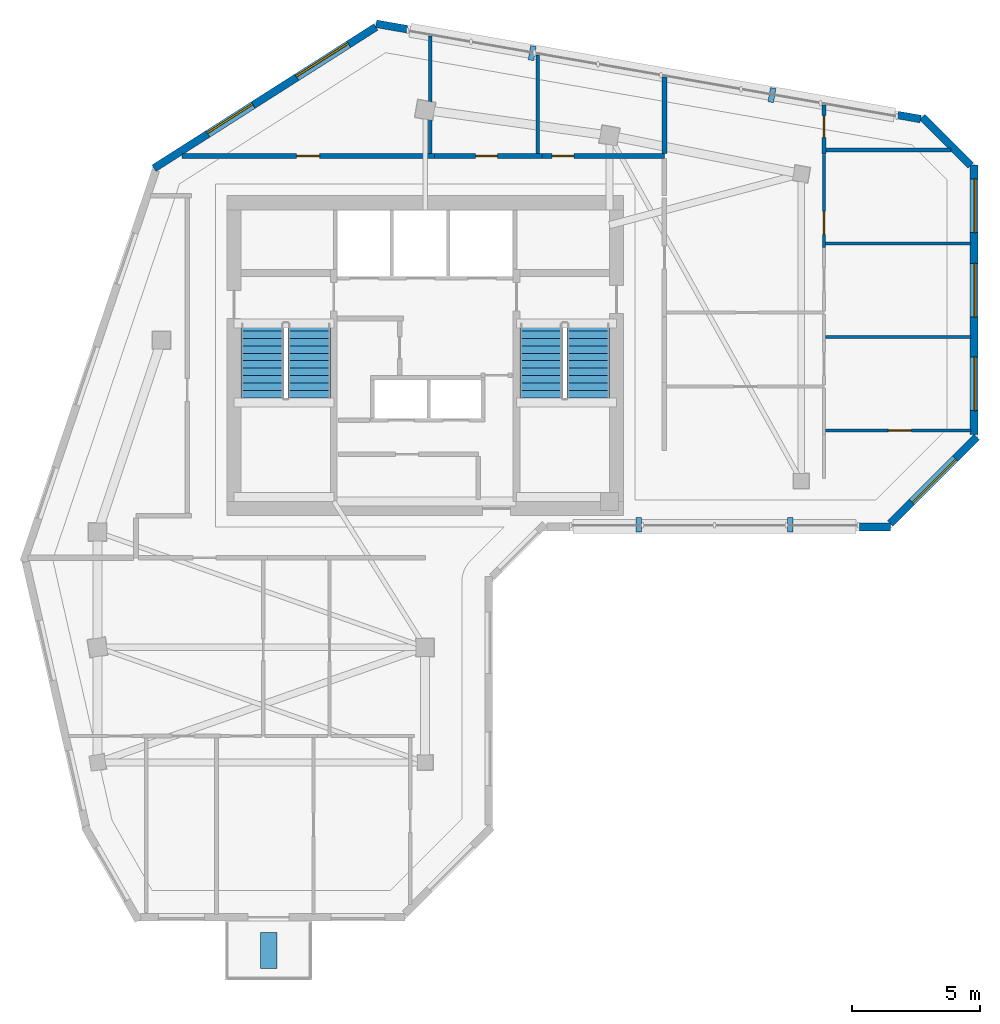
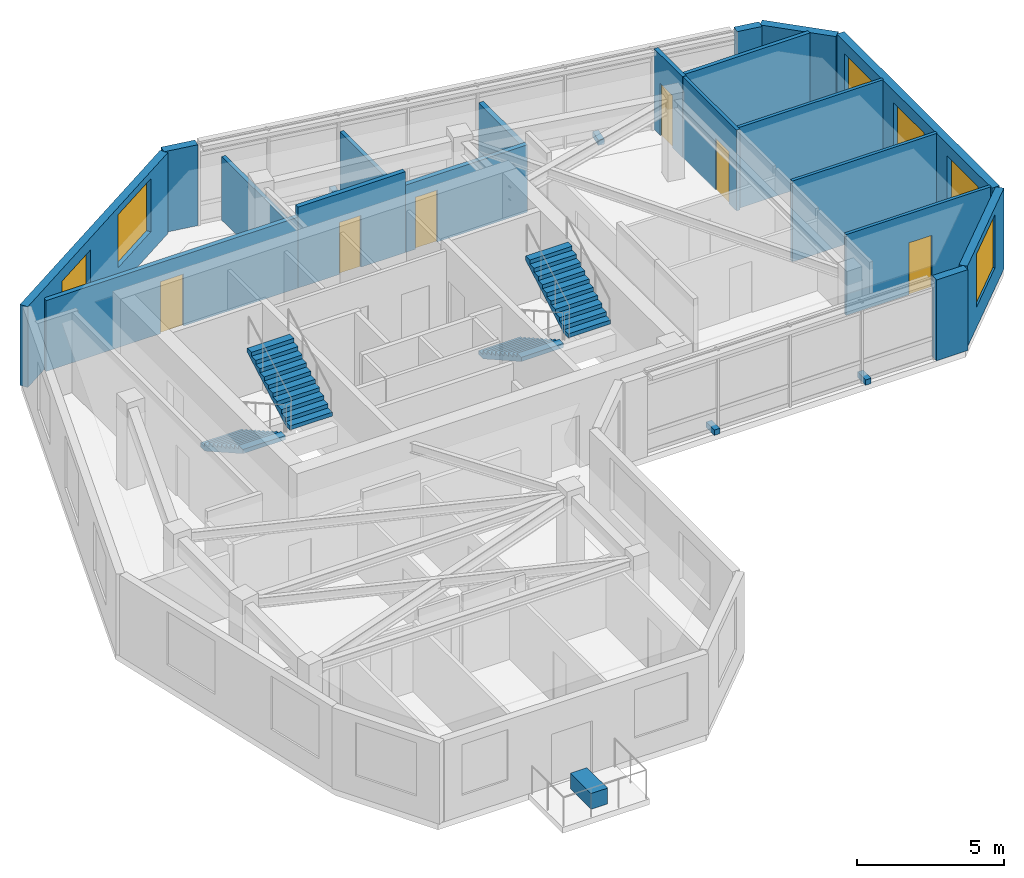
# One storey, part 5 of 8: 19 walls, 6 doors, 6 windows, 5 discrete accessories, 4 stair flights, 12 openings, 2 elements without a shape of their own.
"""IFC4 building model written with IfcOpenShell, lengths in metres."""

from ifc_helpers import new_model, si_unit, direction, frame, frame_2d, origin, origin_2d, place, context, subcontext, project, spatial, polyline, rectangle, outline, extrude, source, transform, mapped, material, layer, layer_set, type_object, element, fill, aggregate, save


model = new_model("IFC4")

# Units and contexts
model_context = context("Model", 3, precision=1e-05, world=origin(), true_north=direction((0.0, 1.0)))
body_context = subcontext(model_context, "Body", "Model", "MODEL_VIEW")
ifc_project = project(units=[si_unit("LENGTHUNIT", "METRE"), si_unit("AREAUNIT", "SQUARE_METRE"), si_unit("VOLUMEUNIT", "CUBIC_METRE"), si_unit("PLANEANGLEUNIT", "RADIAN"), si_unit("MASSUNIT", "GRAM", prefix="KILO")], contexts=[model_context])

# Site, building, storey
site_placement = place(None, origin())
site = spatial("IfcSite", under=ifc_project, at=site_placement, CompositionType="ELEMENT")
building_placement = place(site_placement, origin())
building = spatial("IfcBuilding", under=site, at=building_placement, Name="Calvemar Wedge Station Tower", CompositionType="ELEMENT")
storey_placement = place(building_placement, frame((0.0, 0.0, 249.300048828125)))
storey = spatial("IfcBuildingStorey", under=building, at=storey_placement, Name="L63", CompositionType="ELEMENT", Elevation=249.300048828125)

# Wall, opening, door
ifc_material_1 = material(Name="Double-stud fire-rated corridor partition")
ifc_layer_1 = layer(ifc_material_1, 0.179931640625)
ifc_layer_set_1 = layer_set([ifc_layer_1], Name="Double-stud fire-rated corridor partition")
wall_type_1 = type_object("IfcWallType", Name="W-CORR-180", PredefinedType="PARTITIONING", material=ifc_layer_set_1)
wall_1_placement = place(storey_placement, frame((14.29541015625, 47.699951171875, 0.0), z_axis=(0.0, 0.0, 1.0), x_axis=(1.0, 0.0, 0.0)))
wall_1 = element("IfcWall", 1, at=wall_1_placement, inside=storey, type_object=wall_type_1, Name="Storey L63 Interior Partition WL-L63-014", PredefinedType="PARTITIONING", context=body_context, shape_type="SweptSolid", body=[
    extrude(rectangle(XDim=9.864501953125, YDim=0.179931640625, at=frame_2d((4.93212890625, 0.0))), origin(), (0.0, 0.0, 1.0), 2.93505859375),
])
shared_shape_1 = source(origin(), body_context, "Body", "SweptSolid", [
    extrude(rectangle(XDim=0.89990234375, YDim=2.14990234375, at=frame_2d((0.449951171875, 1.074951171875))), frame((0.0, 0.10009765625, 0.0), z_axis=(0.0, -1.0, 0.0), x_axis=(1.0, 0.0, 0.0)), (0.0, 0.0, 1.0), 0.199951171875),
])
opening_1_placement = place(wall_1_placement, frame((4.482421875, 0.0, 0.0)))
opening_1 = element("IfcOpeningElement", 2, at=opening_1_placement, cuts=wall_1, Name="Opening D-01", PredefinedType="OPENING", context=body_context, shape_type="MappedRepresentation", body=[
    mapped(shared_shape_1, transform((0.0, 0.0, 0.0), scale=1.0)),
])
ifc_material_2 = material(Name="Architectural hardwood acoustic swing door", Category="wood")
door_type_1 = type_object("IfcDoorType", Name="DR-INT-900", OperationType="NOTDEFINED", PredefinedType="DOOR", material=ifc_material_2)
shared_shape_2 = source(origin(), body_context, "Body", "SweptSolid", [
    extrude(rectangle(XDim=0.89990234375, YDim=2.14990234375, at=frame_2d((0.449951171875, 1.074951171875))), frame((0.0, 0.02490234375, 0.0), z_axis=(0.0, -1.0, 0.0), x_axis=(1.0, 0.0, 0.0)), (0.0, 0.0, 1.0), 0.050048828125),
])
door_1_placement = place(opening_1_placement, origin())
door_1 = element("IfcDoor", 3, at=door_1_placement, inside=storey, type_object=door_type_1, Name="L63 Sky Reading Library Door", OperationType="SINGLE_SWING_LEFT", OverallHeight=2.14990234375, OverallWidth=0.89990234375, PredefinedType="DOOR", context=body_context, shape_type="MappedRepresentation", body=[
    mapped(shared_shape_2, transform((0.0, 0.0, 0.0), scale=1.0)),
])
fill(opening_1, door_1)

wall_2_placement = place(storey_placement, frame((24.162109375, 47.699951171875, 0.0), z_axis=(0.0, 0.0, 1.0), x_axis=(1.0, 0.0, 0.0)))
wall_2 = element("IfcWall", 4, at=wall_2_placement, inside=storey, type_object=wall_type_1, Name="Storey L63 Interior Partition WL-L63-015", PredefinedType="PARTITIONING", context=body_context, shape_type="SweptSolid", body=[
    extrude(rectangle(XDim=4.197998046875, YDim=0.179931640625, at=frame_2d((2.09912109375, 0.0))), origin(), (0.0, 0.0, 1.0), 3.349853515625),
])
shared_shape_3 = source(origin(), body_context, "Body", "SweptSolid", [
    extrude(rectangle(XDim=0.85009765625, YDim=2.14990234375, at=frame_2d((0.425048828125, 1.074951171875))), frame((0.0, 0.10009765625, 0.0), z_axis=(0.0, -1.0, 0.0), x_axis=(1.0, 0.0, 0.0)), (0.0, 0.0, 1.0), 0.199951171875),
])
opening_2_placement = place(wall_2_placement, frame((1.61328125, 0.0, 0.0)))
opening_2 = element("IfcOpeningElement", 5, at=opening_2_placement, cuts=wall_2, Name="Opening D-02", PredefinedType="OPENING", context=body_context, shape_type="MappedRepresentation", body=[
    mapped(shared_shape_3, transform((0.0, 0.0, 0.0), scale=1.0)),
])
ifc_material_3 = material(Name="Moisture-sealed bathroom hardwood swing door", Category="wood")
door_type_2 = type_object("IfcDoorType", Name="DR-WET-850", OperationType="NOTDEFINED", PredefinedType="DOOR", material=ifc_material_3)
shared_shape_4 = source(origin(), body_context, "Body", "SweptSolid", [
    extrude(rectangle(XDim=0.85009765625, YDim=2.14990234375, at=frame_2d((0.425048828125, 1.074951171875))), frame((0.0, 0.02490234375, 0.0), z_axis=(0.0, -1.0, 0.0), x_axis=(1.0, 0.0, 0.0)), (0.0, 0.0, 1.0), 0.050048828125),
])
door_2_placement = place(opening_2_placement, origin())
door_2 = element("IfcDoor", 6, at=door_2_placement, inside=storey, type_object=door_type_2, Name="L63 Accessible WC Door", OperationType="SINGLE_SWING_RIGHT", OverallHeight=2.14990234375, OverallWidth=0.85009765625, PredefinedType="DOOR", context=body_context, shape_type="MappedRepresentation", body=[
    mapped(shared_shape_4, transform((0.0, 0.0, 0.0), scale=1.0)),
])
fill(opening_2, door_2)

wall_3_placement = place(storey_placement, frame((28.362060546875, 47.699951171875, 0.0), z_axis=(0.0, 0.0, 1.0), x_axis=(1.0, 0.0, 0.0)))
wall_3 = element("IfcWall", 7, at=wall_3_placement, inside=storey, type_object=wall_type_1, Name="Storey L63 Interior Partition WL-L63-016", PredefinedType="PARTITIONING", context=body_context, shape_type="SweptSolid", body=[
    extrude(rectangle(XDim=4.787841796875, YDim=0.179931640625, at=frame_2d((2.39404296875, 0.0))), origin(), (0.0, 0.0, 1.0), 2.787841796875),
])
opening_3_placement = place(wall_3_placement, frame((0.400634765625, 0.0, 0.0)))
opening_3 = element("IfcOpeningElement", 8, at=opening_3_placement, cuts=wall_3, Name="Opening D-02", PredefinedType="OPENING", context=body_context, shape_type="MappedRepresentation", body=[
    mapped(shared_shape_3, transform((0.0, 0.0, 0.0), scale=1.0)),
])
door_3_placement = place(opening_3_placement, origin())
door_3 = element("IfcDoor", 9, at=door_3_placement, inside=storey, type_object=door_type_2, Name="L63 Storage Room Door", OperationType="SINGLE_SWING_LEFT", OverallHeight=2.14990234375, OverallWidth=0.85009765625, PredefinedType="DOOR", context=body_context, shape_type="MappedRepresentation", body=[
    mapped(shared_shape_4, transform((0.0, 0.0, 0.0), scale=1.0)),
])
fill(opening_3, door_3)

# Walls
ifc_material_4 = material(Name="Twin-stud fire-rated inter-tenancy wall")
ifc_layer_2 = layer(ifc_material_4, 0.199951171875)
ifc_layer_set_2 = layer_set([ifc_layer_2], Name="Twin-stud fire-rated inter-tenancy wall")
wall_type_2 = type_object("IfcWallType", Name="W-DEMISE-200", PredefinedType="PARTITIONING", material=ifc_layer_set_2)
wall_4_placement = place(storey_placement, frame((33.14990234375, 50.7802734375, 0.0), z_axis=(0.0, 0.0, 1.0), x_axis=(0.0, -1.0, 0.0)))
element("IfcWall", 10, at=wall_4_placement, inside=storey, type_object=wall_type_2, Name="Storey L63 Interior Partition WL-L63-024", PredefinedType="PARTITIONING", context=body_context, shape_type="SweptSolid", body=[
    extrude(rectangle(XDim=2.986328125, YDim=0.199951171875, at=frame_2d((1.4931640625, 0.0))), origin(), (0.0, 0.0, 1.0), 2.641845703125),
])
ifc_material_5 = material(Name="Precast concrete C45", Category="concrete")
ifc_layer_3 = layer(ifc_material_5, 0.300048828125)
ifc_layer_set_3 = layer_set([ifc_layer_3], Name="Precast concrete C45")
wall_type_3 = type_object("IfcWallType", Name="W-EXT-GFRC-300", PredefinedType="SOLIDWALL", material=ifc_layer_set_3)
wall_5_placement = place(storey_placement, frame((40.762939453125, 33.2060546875, 0.0), z_axis=(0.0, 0.0, 1.0), x_axis=(1.0, 0.0, 0.0)))
element("IfcWall", 11, at=wall_5_placement, inside=storey, type_object=wall_type_3, Name="Storey L63 Bronze GFRC Corner Pier 6B", PredefinedType="SOLIDWALL", context=body_context, shape_type="SweptSolid", body=[
    extrude(rectangle(XDim=1.224853515625, YDim=0.300048828125, at=frame_2d((0.6123046875, 0.0))), origin(), (0.0, 0.0, 1.0), 3.349853515625),
])

# Wall, opening, window
wall_6_placement = place(storey_placement, frame((41.975830078125, 33.343994140625, 0.0), z_axis=(0.0, 0.0, 1.0), x_axis=(0.707132316343, 0.707081245108, 0.0)))
wall_6 = element("IfcWall", 12, at=wall_6_placement, inside=storey, type_object=wall_type_3, Name="Storey L63 Bronze GFRC Exterior Wall 7", PredefinedType="SOLIDWALL", context=body_context, shape_type="SweptSolid", body=[
    extrude(rectangle(XDim=4.7802734375, YDim=0.300048828125, at=frame_2d((2.39013671875, 0.0))), origin(), (0.0, 0.0, 1.0), 3.349853515625),
])
shared_shape_5 = source(origin(), body_context, "Body", "SweptSolid", [
    extrude(rectangle(XDim=2.39990234375, YDim=2.199951171875, at=frame_2d((1.199951171875, 1.10009765625))), frame((0.0, 0.16015625, 0.0), z_axis=(0.0, -1.0, 0.0), x_axis=(1.0, 0.0, 0.0)), (0.0, 0.0, 1.0), 0.320068359375),
])
opening_4_placement = place(wall_6_placement, frame((1.18994140625, 0.0, 0.85009765625)))
opening_4 = element("IfcOpeningElement", 13, at=opening_4_placement, cuts=wall_6, Name="Opening W1", PredefinedType="OPENING", context=body_context, shape_type="MappedRepresentation", body=[
    mapped(shared_shape_5, transform((0.0, 0.0, 0.0), scale=1.0)),
])
ifc_material_6 = material(Name="Low-E laminated insulated glass", Category="glass")
window_type_1 = type_object("IfcWindowType", Name="WIN-EXT-1", PartitioningType="SINGLE_PANEL", PredefinedType="WINDOW", material=ifc_material_6)
shared_shape_6 = source(origin(), body_context, "Body", "SweptSolid", [
    extrude(rectangle(XDim=2.39990234375, YDim=2.199951171875, at=frame_2d((1.199951171875, 1.10009765625))), frame((0.0, -0.014892578125, 0.0), z_axis=(0.0, -1.0, 0.0), x_axis=(1.0, 0.0, 0.0)), (0.0, 0.0, 1.0), 0.06005859375),
])
window_1_placement = place(opening_4_placement, origin())
window_1 = element("IfcWindow", 14, at=window_1_placement, inside=storey, type_object=window_type_1, Name="Storey L63 Recessed Window 7.1", OverallHeight=2.199951171875, OverallWidth=2.39990234375, PartitioningType="SINGLE_PANEL", PredefinedType="WINDOW", context=body_context, shape_type="MappedRepresentation", body=[
    mapped(shared_shape_6, transform((0.0, 0.0, 0.0), scale=1.0)),
])
fill(opening_4, window_1)

# Wall, openings, windows
wall_7_placement = place(storey_placement, frame((45.25, 36.813232421875, 0.0), z_axis=(0.0, 0.0, 1.0), x_axis=(0.0, 1.0, 0.0)))
wall_7 = element("IfcWall", 15, at=wall_7_placement, inside=storey, type_object=wall_type_3, Name="Storey L63 Bronze GFRC Exterior Wall 8", PredefinedType="SOLIDWALL", context=body_context, shape_type="SweptSolid", body=[
    extrude(rectangle(XDim=10.53076171875, YDim=0.300048828125, at=frame_2d((5.265380859375, 0.0))), origin(), (0.0, 0.0, 1.0), 3.349853515625),
])
shared_shape_7 = source(origin(), body_context, "Body", "SweptSolid", [
    extrude(rectangle(XDim=2.10009765625, YDim=2.0, at=frame_2d((1.050048828125, 1.0))), frame((0.0, 0.16015625, 0.0), z_axis=(0.0, -1.0, 0.0), x_axis=(1.0, 0.0, 0.0)), (0.0, 0.0, 1.0), 0.320068359375),
])
opening_5_placement = place(wall_7_placement, frame((0.93603515625, 0.0, 0.85009765625)))
opening_5 = element("IfcOpeningElement", 16, at=opening_5_placement, cuts=wall_7, Name="Opening W4", PredefinedType="OPENING", context=body_context, shape_type="MappedRepresentation", body=[
    mapped(shared_shape_7, transform((0.0, 0.0, 0.0), scale=1.0)),
])
opening_6_placement = place(wall_7_placement, frame((4.589111328125, 0.0, 0.85009765625)))
opening_6 = element("IfcOpeningElement", 17, at=opening_6_placement, cuts=wall_7, Name="Opening W4", PredefinedType="OPENING", context=body_context, shape_type="MappedRepresentation", body=[
    mapped(shared_shape_7, transform((0.0, 0.0, 0.0), scale=1.0)),
])
opening_7_placement = place(wall_7_placement, frame((7.89794921875, 0.0, 0.85009765625)))
opening_7 = element("IfcOpeningElement", 18, at=opening_7_placement, cuts=wall_7, Name="Opening W4", PredefinedType="OPENING", context=body_context, shape_type="MappedRepresentation", body=[
    mapped(shared_shape_7, transform((0.0, 0.0, 0.0), scale=1.0)),
])
window_type_2 = type_object("IfcWindowType", Name="WIN-EXT-4", PartitioningType="SINGLE_PANEL", PredefinedType="WINDOW", material=ifc_material_6)
shared_shape_8 = source(origin(), body_context, "Body", "SweptSolid", [
    extrude(rectangle(XDim=2.10009765625, YDim=2.0, at=frame_2d((1.050048828125, 1.0))), frame((0.0, -0.014892578125, 0.0), z_axis=(0.0, -1.0, 0.0), x_axis=(1.0, 0.0, 0.0)), (0.0, 0.0, 1.0), 0.06005859375),
])
window_2_placement = place(opening_5_placement, origin())
window_2 = element("IfcWindow", 19, at=window_2_placement, inside=storey, type_object=window_type_2, Name="Storey L63 Recessed Window 8.1", OverallHeight=2.0, OverallWidth=2.10009765625, PartitioningType="SINGLE_PANEL", PredefinedType="WINDOW", context=body_context, shape_type="MappedRepresentation", body=[
    mapped(shared_shape_8, transform((0.0, 0.0, 0.0), scale=1.0)),
])
fill(opening_5, window_2)
window_3_placement = place(opening_6_placement, origin())
window_3 = element("IfcWindow", 20, at=window_3_placement, inside=storey, type_object=window_type_2, Name="Storey L63 Recessed Window 8.2", OverallHeight=2.0, OverallWidth=2.10009765625, PartitioningType="SINGLE_PANEL", PredefinedType="WINDOW", context=body_context, shape_type="MappedRepresentation", body=[
    mapped(shared_shape_8, transform((0.0, 0.0, 0.0), scale=1.0)),
])
fill(opening_6, window_3)
window_4_placement = place(opening_7_placement, origin())
window_4 = element("IfcWindow", 21, at=window_4_placement, inside=storey, type_object=window_type_2, Name="Storey L63 Recessed Window 8.3", OverallHeight=2.0, OverallWidth=2.10009765625, PartitioningType="SINGLE_PANEL", PredefinedType="WINDOW", context=body_context, shape_type="MappedRepresentation", body=[
    mapped(shared_shape_8, transform((0.0, 0.0, 0.0), scale=1.0)),
])
fill(opening_7, window_4)

# Walls
wall_8_placement = place(storey_placement, frame((45.112060546875, 47.331787109375, 0.0), z_axis=(0.0, 0.0, 1.0), x_axis=(-0.707106781187, 0.707106781187, 0.0)))
element("IfcWall", 22, at=wall_8_placement, inside=storey, type_object=wall_type_3, Name="Storey L63 Bronze GFRC Exterior Wall 9", PredefinedType="SOLIDWALL", context=body_context, shape_type="SweptSolid", body=[
    extrude(rectangle(XDim=2.673828125, YDim=0.300048828125, at=frame_2d((1.3369140625, 0.0))), origin(), (0.0, 0.0, 1.0), 3.349853515625),
])
wall_9_placement = place(storey_placement, frame((43.161376953125, 49.1455078125, 0.0), z_axis=(0.0, 0.0, 1.0), x_axis=(-0.985029323725, 0.172386865514, 0.0)))
element("IfcWall", 23, at=wall_9_placement, inside=storey, type_object=wall_type_3, Name="Storey L63 Bronze GFRC Corner Pier 10A", PredefinedType="SOLIDWALL", context=body_context, shape_type="SweptSolid", body=[
    extrude(rectangle(XDim=0.906494140625, YDim=0.300048828125, at=frame_2d((0.453125, 0.0))), origin(), (0.0, 0.0, 1.0), 3.349853515625),
])
wall_10_placement = place(storey_placement, frame((23.09033203125, 52.656982421875, 0.0), z_axis=(0.0, 0.0, 1.0), x_axis=(-0.985025390124, 0.172409340845, 0.0)))
element("IfcWall", 24, at=wall_10_placement, inside=storey, type_object=wall_type_3, Name="Storey L63 Bronze GFRC Corner Pier 10B", PredefinedType="SOLIDWALL", context=body_context, shape_type="SweptSolid", body=[
    extrude(rectangle(XDim=1.224853515625, YDim=0.300048828125, at=frame_2d((0.6123046875, 0.0))), origin(), (0.0, 0.0, 1.0), 3.349853515625),
])

# Wall, openings, windows
wall_11_placement = place(storey_placement, frame((21.873779296875, 52.741943359375, 0.0), z_axis=(0.0, 0.0, 1.0), x_axis=(-0.84365659959, -0.536883173482, 0.0)))
wall_11 = element("IfcWall", 25, at=wall_11_placement, inside=storey, type_object=wall_type_3, Name="Storey L63 Bronze GFRC Exterior Wall 11", PredefinedType="SOLIDWALL", context=body_context, shape_type="SweptSolid", body=[
    extrude(rectangle(XDim=10.282958984375, YDim=0.300048828125, at=frame_2d((5.1416015625, 0.0))), origin(), (0.0, 0.0, 1.0), 3.349853515625),
])
opening_8_placement = place(wall_11_placement, frame((1.260009765625, 0.0, 0.85009765625)))
opening_8 = element("IfcOpeningElement", 26, at=opening_8_placement, cuts=wall_11, Name="Opening W1", PredefinedType="OPENING", context=body_context, shape_type="MappedRepresentation", body=[
    mapped(shared_shape_5, transform((0.0, 0.0, 0.0), scale=1.0)),
])
opening_9_placement = place(wall_11_placement, frame((5.68994140625, 0.0, 0.85009765625)))
opening_9 = element("IfcOpeningElement", 27, at=opening_9_placement, cuts=wall_11, Name="Opening W4", PredefinedType="OPENING", context=body_context, shape_type="MappedRepresentation", body=[
    mapped(shared_shape_7, transform((0.0, 0.0, 0.0), scale=1.0)),
])
window_5_placement = place(opening_9_placement, origin())
window_5 = element("IfcWindow", 28, at=window_5_placement, inside=storey, type_object=window_type_2, Name="Storey L63 Recessed Window 11.2", OverallHeight=2.0, OverallWidth=2.10009765625, PartitioningType="SINGLE_PANEL", PredefinedType="WINDOW", context=body_context, shape_type="MappedRepresentation", body=[
    mapped(shared_shape_8, transform((0.0, 0.0, 0.0), scale=1.0)),
])
fill(opening_9, window_5)
window_6_placement = place(opening_8_placement, origin())
window_6 = element("IfcWindow", 29, at=window_6_placement, inside=storey, type_object=window_type_1, Name="Storey L63 Recessed Window 11.1", OverallHeight=2.199951171875, OverallWidth=2.39990234375, PartitioningType="SINGLE_PANEL", PredefinedType="WINDOW", context=body_context, shape_type="MappedRepresentation", body=[
    mapped(shared_shape_6, transform((0.0, 0.0, 0.0), scale=1.0)),
])
fill(opening_8, window_6)

# Wall, opening, door
ifc_material_7 = material(Name="Insulated acoustic gypsum stud partition")
ifc_layer_4 = layer(ifc_material_7, 0.125)
ifc_layer_set_4 = layer_set([ifc_layer_4], Name="Insulated acoustic gypsum stud partition")
wall_type_4 = type_object("IfcWallType", Name="W-PART-125", PredefinedType="PARTITIONING", material=ifc_layer_set_4)
wall_12_placement = place(storey_placement, frame((39.382080078125, 47.76806640625, 0.0), z_axis=(0.0, 0.0, 1.0), x_axis=(0.0, -1.0, 0.0)))
wall_12 = element("IfcWall", 30, at=wall_12_placement, inside=storey, type_object=wall_type_4, Name="Storey L63 Interior Partition WL-L63-030", PredefinedType="PARTITIONING", context=body_context, shape_type="SweptSolid", body=[
    extrude(rectangle(XDim=3.650146484375, YDim=0.125, at=frame_2d((1.8251953125, 0.0))), origin(), (0.0, 0.0, 1.0), 3.349853515625),
])
shared_shape_9 = source(origin(), body_context, "Body", "SweptSolid", [
    extrude(rectangle(XDim=0.89990234375, YDim=2.14990234375, at=frame_2d((0.449951171875, 1.074951171875))), frame((0.0, 0.072509765625, 0.0), z_axis=(0.0, -1.0, 0.0), x_axis=(1.0, 0.0, 0.0)), (0.0, 0.0, 1.0), 0.14501953125),
])
opening_10_placement = place(wall_12_placement, frame((2.226806640625, 0.0, 0.0)))
opening_10 = element("IfcOpeningElement", 31, at=opening_10_placement, cuts=wall_12, Name="Opening D-01", PredefinedType="OPENING", context=body_context, shape_type="MappedRepresentation", body=[
    mapped(shared_shape_9, transform((0.0, 0.0, 0.0), scale=1.0)),
])
door_4_placement = place(opening_10_placement, origin())
door_4 = element("IfcDoor", 32, at=door_4_placement, inside=storey, type_object=door_type_1, Name="L63 Master Bedroom Door", OperationType="SINGLE_SWING_RIGHT", OverallHeight=2.14990234375, OverallWidth=0.89990234375, PredefinedType="DOOR", context=body_context, shape_type="MappedRepresentation", body=[
    mapped(shared_shape_2, transform((0.0, 0.0, 0.0), scale=1.0)),
])
fill(opening_10, door_4)

# Walls
for number, where, z_axis, x_axis, name in (
    (33, (45.135009765625, 44.278076171875, 0.0), (0.0, 0.0, 1.0), (-1.0, 0.0, 0.0), "Storey L63 Interior Partition WL-L63-035"),
    (34, (45.135009765625, 40.6259765625, 0.0), (0.0, 0.0, 1.0), (-1.0, 0.0, 0.0), "Storey L63 Interior Partition WL-L63-036"),
):
    element("IfcWall", number, at=place(storey_placement, frame(where, z_axis=z_axis, x_axis=x_axis)), inside=storey, type_object=wall_type_4, Name=name, PredefinedType="PARTITIONING", context=body_context, shape_type="SweptSolid", body=[
        extrude(rectangle(XDim=5.6865234375, YDim=0.125, at=frame_2d((2.84326171875, 0.0))), origin(), (0.0, 0.0, 1.0), 3.349853515625),
    ])

# Wall, opening, door
wall_13_placement = place(storey_placement, frame((45.135009765625, 36.972900390625, 0.0), z_axis=(0.0, 0.0, 1.0), x_axis=(-1.0, 0.0, 0.0)))
wall_13 = element("IfcWall", 35, at=wall_13_placement, inside=storey, type_object=wall_type_4, Name="Storey L63 Interior Partition WL-L63-037", PredefinedType="PARTITIONING", context=body_context, shape_type="SweptSolid", body=[
    extrude(rectangle(XDim=5.6865234375, YDim=0.125, at=frame_2d((2.84326171875, 0.0))), origin(), (0.0, 0.0, 1.0), 3.349853515625),
])
opening_11_placement = place(wall_13_placement, frame((2.3330078125, 0.0, 0.0)))
opening_11 = element("IfcOpeningElement", 36, at=opening_11_placement, cuts=wall_13, Name="Opening D-01", PredefinedType="OPENING", context=body_context, shape_type="MappedRepresentation", body=[
    mapped(shared_shape_9, transform((0.0, 0.0, 0.0), scale=1.0)),
])
door_5_placement = place(opening_11_placement, origin())
door_5 = element("IfcDoor", 37, at=door_5_placement, inside=storey, type_object=door_type_1, Name="L63 Study Door", OperationType="SINGLE_SWING_LEFT", OverallHeight=2.14990234375, OverallWidth=0.89990234375, PredefinedType="DOOR", context=body_context, shape_type="MappedRepresentation", body=[
    mapped(shared_shape_2, transform((0.0, 0.0, 0.0), scale=1.0)),
])
fill(opening_11, door_5)

# Walls
ifc_material_8 = material(Name="Moisture-resistant acoustic bathroom partition")
ifc_layer_5 = layer(ifc_material_8, 0.14990234375)
ifc_layer_set_5 = layer_set([ifc_layer_5], Name="Moisture-resistant acoustic bathroom partition")
wall_type_5 = type_object("IfcWallType", Name="W-WET-150", PredefinedType="PARTITIONING", material=ifc_layer_set_5)
wall_14_placement = place(storey_placement, frame((24.0, 52.381103515625, 0.0), z_axis=(0.0, 0.0, 1.0), x_axis=(0.0, -1.0, 0.0)))
element("IfcWall", 38, at=wall_14_placement, inside=storey, type_object=wall_type_5, Name="Storey L63 Interior Partition WL-L63-022", PredefinedType="PARTITIONING", context=body_context, shape_type="SweptSolid", body=[
    extrude(rectangle(XDim=4.587158203125, YDim=0.14990234375, at=frame_2d((2.29345703125, 0.0))), origin(), (0.0, 0.0, 1.0), 2.641845703125),
])
wall_15_placement = place(storey_placement, frame((28.199951171875, 51.646240234375, 0.0), z_axis=(0.0, 0.0, 1.0), x_axis=(0.0, -1.0, 0.0)))
element("IfcWall", 39, at=wall_15_placement, inside=storey, type_object=wall_type_5, Name="Storey L63 Interior Partition WL-L63-023", PredefinedType="PARTITIONING", context=body_context, shape_type="SweptSolid", body=[
    extrude(rectangle(XDim=3.852294921875, YDim=0.14990234375, at=frame_2d((1.92626953125, 0.0))), origin(), (0.0, 0.0, 1.0), 2.641845703125),
])

# Wall, opening, door
wall_16_placement = place(storey_placement, frame((39.382080078125, 49.68994140625, 0.0), z_axis=(0.0, 0.0, 1.0), x_axis=(0.0, -1.0, 0.0)))
wall_16 = element("IfcWall", 40, at=wall_16_placement, inside=storey, type_object=wall_type_5, Name="Storey L63 Interior Partition WL-L63-029", PredefinedType="PARTITIONING", context=body_context, shape_type="SweptSolid", body=[
    extrude(rectangle(XDim=1.919921875, YDim=0.14990234375, at=frame_2d((0.9599609375, 0.0))), origin(), (0.0, 0.0, 1.0), 3.349853515625),
])
shared_shape_10 = source(origin(), body_context, "Body", "SweptSolid", [
    extrude(rectangle(XDim=0.85009765625, YDim=2.14990234375, at=frame_2d((0.425048828125, 1.074951171875))), frame((0.0, 0.0849609375, 0.0), z_axis=(0.0, -1.0, 0.0), x_axis=(1.0, 0.0, 0.0)), (0.0, 0.0, 1.0), 0.169921875),
])
opening_12_placement = place(wall_16_placement, frame((0.407470703125, 0.0, 0.0)))
opening_12 = element("IfcOpeningElement", 41, at=opening_12_placement, cuts=wall_16, Name="Opening D-02", PredefinedType="OPENING", context=body_context, shape_type="MappedRepresentation", body=[
    mapped(shared_shape_10, transform((0.0, 0.0, 0.0), scale=1.0)),
])
door_6_placement = place(opening_12_placement, origin())
door_6 = element("IfcDoor", 42, at=door_6_placement, inside=storey, type_object=door_type_2, Name="L63 Bathroom Door", OperationType="SINGLE_SWING_LEFT", OverallHeight=2.14990234375, OverallWidth=0.85009765625, PredefinedType="DOOR", context=body_context, shape_type="MappedRepresentation", body=[
    mapped(shared_shape_4, transform((0.0, 0.0, 0.0), scale=1.0)),
])
fill(opening_12, door_6)

# Wall
wall_17_placement = place(storey_placement, frame((44.351318359375, 47.929931640625, 0.0), z_axis=(0.0, 0.0, 1.0), x_axis=(-1.0, 0.0, 0.0)))
element("IfcWall", 43, at=wall_17_placement, inside=storey, type_object=wall_type_5, Name="Storey L63 Interior Partition WL-L63-034", PredefinedType="PARTITIONING", context=body_context, shape_type="SweptSolid", body=[
    extrude(rectangle(XDim=4.890380859375, YDim=0.14990234375, at=frame_2d((2.4453125, 0.0))), origin(), (0.0, 0.0, 1.0), 3.349853515625),
])

# Stair, stair flights
ifc_material_9 = material(Name="Concrete C45", Category="concrete")
stair_type = type_object("IfcStairType", Name="ST-TYPE-3600", PredefinedType="HALF_TURN_STAIR", material=ifc_material_9)
stair_1_placement = place(storey_placement, origin())
stair_1 = element("IfcStair", 44, at=stair_1_placement, inside=storey, type_object=stair_type, Name="L63 Pressurized Core Exit Stair ST-C1", PredefinedType="HALF_TURN_STAIR")
stair_flight_type = type_object("IfcStairFlightType", Name="STF-TYPE-3600", PredefinedType="STRAIGHT", material=ifc_material_9)
stair_flight_1_placement = place(storey_placement, frame((17.429931640625, 41.14990234375, 0.0), z_axis=(0.0, 0.0, 1.0), x_axis=(0.0, -1.0, 0.0)))
stair_flight_1 = element("IfcStairFlight", 45, at=stair_flight_1_placement, type_object=stair_flight_type, Name="ST-C1 flight 1", NumberOfRisers=11, NumberOfTreads=10, PredefinedType="STRAIGHT", RiserHeight=0.163636364, TreadLength=0.29, context=body_context, shape_type="SweptSolid", body=[
    extrude(outline(polyline([(0.0, 0.0), (0.0, 0.16357421875), (0.2900390625, 0.16357421875), (0.2900390625, 0.327392578125), (0.580078125, 0.327392578125), (0.580078125, 0.490966796875), (0.8701171875, 0.490966796875), (0.8701171875, 0.654541015625), (1.159912109375, 0.654541015625), (1.159912109375, 0.818115234375), (1.449951171875, 0.818115234375), (1.449951171875, 0.98193359375), (1.739990234375, 0.98193359375), (1.739990234375, 1.1455078125), (2.030029296875, 1.1455078125), (2.030029296875, 1.30908203125), (2.320068359375, 1.30908203125), (2.320068359375, 1.47265625), (2.610107421875, 1.47265625), (2.610107421875, 1.636474609375), (2.89990234375, 1.636474609375), (2.89990234375, 1.800048828125), (2.89990234375, 1.46435546875), (0.304931640625, 0.0), (0.0, 0.0)])), frame((0.0, 0.830078125, 0.0), z_axis=(0.0, -1.0, 0.0), x_axis=(1.0, 0.0, 0.0)), (0.0, 0.0, 1.0), 1.659912109375),
])
stair_flight_2_placement = place(storey_placement, frame((19.27001953125, 38.25, 1.800048828125), z_axis=(0.0, 0.0, 1.0), x_axis=(0.0, 1.0, 0.0)))
stair_flight_2 = element("IfcStairFlight", 46, at=stair_flight_2_placement, type_object=stair_flight_type, Name="ST-C1 flight 2", NumberOfRisers=11, NumberOfTreads=10, PredefinedType="STRAIGHT", RiserHeight=0.163636364, TreadLength=0.29, context=body_context, shape_type="SweptSolid", body=[
    extrude(outline(polyline([(0.0, 0.0), (0.0, 0.16357421875), (0.2900390625, 0.16357421875), (0.2900390625, 0.327392578125), (0.580078125, 0.327392578125), (0.580078125, 0.490966796875), (0.8701171875, 0.490966796875), (0.8701171875, 0.654541015625), (1.159912109375, 0.654541015625), (1.159912109375, 0.818115234375), (1.449951171875, 0.818115234375), (1.449951171875, 0.98193359375), (1.739990234375, 0.98193359375), (1.739990234375, 1.1455078125), (2.030029296875, 1.1455078125), (2.030029296875, 1.30908203125), (2.320068359375, 1.30908203125), (2.320068359375, 1.47265625), (2.610107421875, 1.47265625), (2.610107421875, 1.636474609375), (2.89990234375, 1.636474609375), (2.89990234375, 1.800048828125), (2.89990234375, 1.46435546875), (0.304931640625, 0.0), (0.0, 0.0)])), frame((0.0, 0.830078125, 0.0), z_axis=(0.0, -1.0, 0.0), x_axis=(1.0, 0.0, 0.0)), (0.0, 0.0, 1.0), 1.659912109375),
])
aggregate(stair_1, [stair_flight_1, stair_flight_2])

stair_2_placement = place(storey_placement, origin())
stair_2 = element("IfcStair", 47, at=stair_2_placement, inside=storey, type_object=stair_type, Name="L63 Pressurized Core Exit Stair ST-C2", PredefinedType="HALF_TURN_STAIR")
stair_flight_3_placement = place(storey_placement, frame((28.330078125, 41.14990234375, 0.0), z_axis=(0.0, 0.0, 1.0), x_axis=(0.0, -1.0, 0.0)))
stair_flight_3 = element("IfcStairFlight", 48, at=stair_flight_3_placement, type_object=stair_flight_type, Name="ST-C2 flight 1", NumberOfRisers=11, NumberOfTreads=10, PredefinedType="STRAIGHT", RiserHeight=0.163636364, TreadLength=0.29, context=body_context, shape_type="SweptSolid", body=[
    extrude(outline(polyline([(0.0, 0.0), (0.0, 0.16357421875), (0.2900390625, 0.16357421875), (0.2900390625, 0.327392578125), (0.580078125, 0.327392578125), (0.580078125, 0.490966796875), (0.8701171875, 0.490966796875), (0.8701171875, 0.654541015625), (1.159912109375, 0.654541015625), (1.159912109375, 0.818115234375), (1.449951171875, 0.818115234375), (1.449951171875, 0.98193359375), (1.739990234375, 0.98193359375), (1.739990234375, 1.1455078125), (2.030029296875, 1.1455078125), (2.030029296875, 1.30908203125), (2.320068359375, 1.30908203125), (2.320068359375, 1.47265625), (2.610107421875, 1.47265625), (2.610107421875, 1.636474609375), (2.89990234375, 1.636474609375), (2.89990234375, 1.800048828125), (2.89990234375, 1.46435546875), (0.304931640625, 0.0), (0.0, 0.0)])), frame((0.0, 0.830078125, 0.0), z_axis=(0.0, -1.0, 0.0), x_axis=(1.0, 0.0, 0.0)), (0.0, 0.0, 1.0), 1.659912109375),
])
stair_flight_4_placement = place(storey_placement, frame((30.169921875, 38.25, 1.800048828125), z_axis=(0.0, 0.0, 1.0), x_axis=(0.0, 1.0, 0.0)))
stair_flight_4 = element("IfcStairFlight", 49, at=stair_flight_4_placement, type_object=stair_flight_type, Name="ST-C2 flight 2", NumberOfRisers=11, NumberOfTreads=10, PredefinedType="STRAIGHT", RiserHeight=0.163636364, TreadLength=0.29, context=body_context, shape_type="SweptSolid", body=[
    extrude(outline(polyline([(0.0, 0.0), (0.0, 0.16357421875), (0.2900390625, 0.16357421875), (0.2900390625, 0.327392578125), (0.580078125, 0.327392578125), (0.580078125, 0.490966796875), (0.8701171875, 0.490966796875), (0.8701171875, 0.654541015625), (1.159912109375, 0.654541015625), (1.159912109375, 0.818115234375), (1.449951171875, 0.818115234375), (1.449951171875, 0.98193359375), (1.739990234375, 0.98193359375), (1.739990234375, 1.1455078125), (2.030029296875, 1.1455078125), (2.030029296875, 1.30908203125), (2.320068359375, 1.30908203125), (2.320068359375, 1.47265625), (2.610107421875, 1.47265625), (2.610107421875, 1.636474609375), (2.89990234375, 1.636474609375), (2.89990234375, 1.800048828125), (2.89990234375, 1.46435546875), (0.304931640625, 0.0), (0.0, 0.0)])), frame((0.0, 0.830078125, 0.0), z_axis=(0.0, -1.0, 0.0), x_axis=(1.0, 0.0, 0.0)), (0.0, 0.0, 1.0), 1.659912109375),
])
aggregate(stair_2, [stair_flight_3, stair_flight_4])

# Discrete accessories
ifc_material_10 = material(Name="Stainless steel AISI 316L", Category="steel")
discrete_accessory_type_1 = type_object("IfcDiscreteAccessoryType", Name="BRK-316L", PredefinedType="BRACKET", material=ifc_material_10)
shared_shape_11 = source(origin(), body_context, "Body", "SweptSolid", [
    extrude(rectangle(XDim=0.219970703125, YDim=0.56005859375, at=origin_2d()), origin(), (0.0, 0.0, 1.0), 0.219970703125),
])
for number, where, z_axis, x_axis, name in (
    (50, (32.140869140625, 33.285888671875, 0.0), (0.0, 0.0, 1.0), (1.0, 0.0, 0.0), "Storey L63 Recessed Facade Stainless Bracket 6.1"),
    (51, (38.06689453125, 33.285888671875, 0.0), (0.0, 0.0, 1.0), (1.0, 0.0, 0.0), "Storey L63 Recessed Facade Stainless Bracket 6.2"),
    (52, (37.350830078125, 50.080810546875, 0.0), (0.0, 0.0, 1.0), (-0.985049251562, 0.172272957823, 0.0), "Storey L63 Recessed Facade Stainless Bracket 10.1"),
    (53, (27.98046875, 51.72021484375, 0.0), (0.0, 0.0, 1.0), (-0.985049251562, 0.172272957823, 0.0), "Storey L63 Recessed Facade Stainless Bracket 10.2"),
):
    element("IfcDiscreteAccessory", number, at=place(storey_placement, frame(where, z_axis=z_axis, x_axis=x_axis)), inside=storey, type_object=discrete_accessory_type_1, Name=name, PredefinedType="BRACKET", context=body_context, shape_type="MappedRepresentation", body=[
        mapped(shared_shape_11, transform((0.0, 0.0, 0.0), scale=1.0)),
    ])
discrete_accessory_type_2 = type_object("IfcDiscreteAccessoryType", Name="ACC-PLANTER", PredefinedType="USERDEFINED", material=ifc_material_5)
shared_shape_12 = source(origin(), body_context, "Body", "SweptSolid", [
    extrude(rectangle(XDim=0.64990234375, YDim=1.39990234375, at=origin_2d()), origin(), (0.0, 0.0, 1.0), 0.64990234375),
])
discrete_accessory_placement = place(storey_placement, frame((17.681884765625, 16.64990234375, 0.0), z_axis=(0.0, 0.0, 1.0), x_axis=(1.0, 0.0, 0.0)))
element("IfcDiscreteAccessory", 54, at=discrete_accessory_placement, inside=storey, type_object=discrete_accessory_type_2, Name="Storey L63 Planted Terrace GFRC Planter", ObjectType="PLANTER", PredefinedType="USERDEFINED", context=body_context, shape_type="MappedRepresentation", body=[
    mapped(shared_shape_12, transform((0.0, 0.0, 0.0), scale=1.0)),
])

save(model, "model.ifc")
